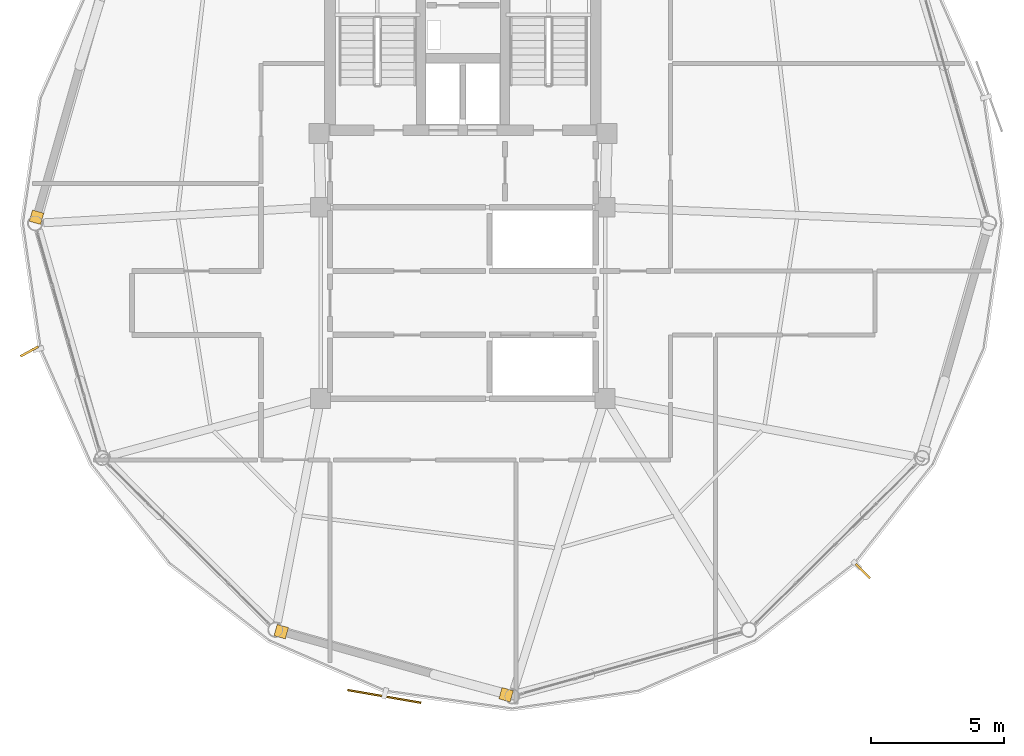
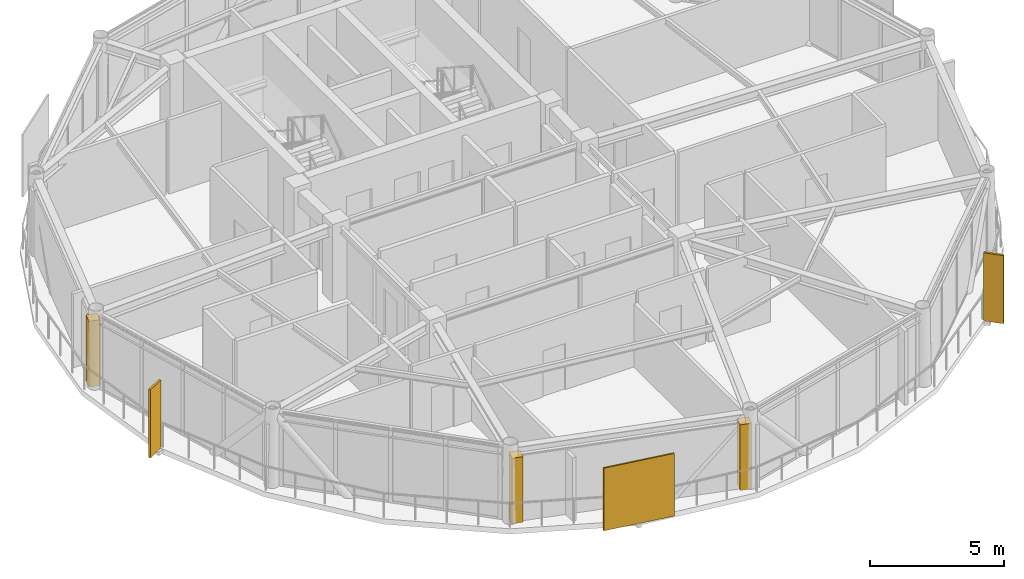
# One storey, part 22 of 25: 3 coverings, 3 shading devices.
"""IFC4 building model written with IfcOpenShell, lengths in metres."""

from ifc_helpers import new_model, si_unit, direction, frame, origin, origin_2d, place, context, subcontext, project, spatial, rectangle, extrude, source, transform, mapped, material, layer, layer_set, type_object, type_shapes, element, save


model = new_model("IFC4")

# Units and contexts
model_context = context("Model", 3, precision=1e-05, world=origin(), true_north=direction((0.0, 1.0)))
body_context = subcontext(model_context, "Body", "Model", "MODEL_VIEW")
ifc_project = project(units=[si_unit("LENGTHUNIT", "METRE"), si_unit("AREAUNIT", "SQUARE_METRE"), si_unit("VOLUMEUNIT", "CUBIC_METRE"), si_unit("PLANEANGLEUNIT", "RADIAN"), si_unit("MASSUNIT", "GRAM", prefix="KILO")], contexts=[model_context])

# Site, building, storey
site_placement = place(None, origin())
site = spatial("IfcSite", under=ifc_project, at=site_placement, CompositionType="ELEMENT")
building_placement = place(site_placement, origin())
building = spatial("IfcBuilding", under=site, at=building_placement, Name="Varnakorn Sky Granary", CompositionType="ELEMENT")
storey_placement = place(building_placement, frame((0.0, 0.0, 277.800048828125)))
storey = spatial("IfcBuildingStorey", under=building, at=storey_placement, Name="L71", CompositionType="ELEMENT", Elevation=277.800048828125)

# Coverings
ifc_material = material(Name="Anodised Bronze Aluminium Alloy 6063-T6", Category="aluminium")
ifc_layer = layer(ifc_material, 0.050048828125, Name="Anodised Bronze Aluminium Alloy 6063-T6")
ifc_layer_set = layer_set([ifc_layer], Name="Anodised Bronze Aluminium Alloy 6063-T6")
covering_type = type_object("IfcCoveringType", Name="CV-CLAD-50", PredefinedType="CLADDING", material=ifc_layer_set)
shared_shape_1 = source(origin(), body_context, "Body", "SweptSolid", [
    extrude(rectangle(XDim=0.43994140625, YDim=0.43994140625, at=origin_2d()), origin(), (0.0, 0.0, 1.0), 2.989990234375),
])
type_shapes(covering_type, [shared_shape_1])
for number, where, z_axis, x_axis, name in (
    (1, (-13.03857421875, 0.2255859375, -0.02001953125), (0.0, 0.0, 1.0), (0.274630573972, 0.961549815579, 0.0), "Bronze Corner Pilaster Closure L71-P06-A"),
    (2, (4.624267578125, -17.738525390625, -0.02001953125), (0.0, 0.0, 1.0), (-0.962738960451, 0.270432420449, 0.0), "Bronze Corner Pilaster Closure L71-P09-A"),
    (3, (-3.833251953125, -15.363525390625, -0.02001953125), (0.0, 0.0, 1.0), (-0.962738960451, 0.270432420449, 0.0), "Bronze Corner Pilaster Closure L71-P09-B"),
):
    element("IfcCovering", number, at=place(storey_placement, frame(where, z_axis=z_axis, x_axis=x_axis)), inside=storey, type_object=covering_type, Name=name, PredefinedType="CLADDING", context=body_context, shape_type="MappedRepresentation", body=[
        mapped(shared_shape_1, transform((0.0, 0.0, 0.0), x_axis=(1.0, 0.0, 0.0), y_axis=(0.0, 1.0, 0.0), z_axis=(0.0, 0.0, 1.0), scale=1.0)),
    ])

# Shading devices
shading_device_type_1 = type_object("IfcShadingDeviceType", Name="SH-FIN-03", PredefinedType="USERDEFINED", material=ifc_material)
shared_shape_2 = source(origin(), body_context, "Body", "SweptSolid", [
    extrude(rectangle(XDim=0.0849609375, YDim=0.760009765625, at=origin_2d()), origin(), (0.0, 0.0, 1.0), 3.10009765625),
])
type_shapes(shading_device_type_1, [shared_shape_2])
for number, where, z_axis, x_axis, name in (
    (4, (-13.3076171875, -4.8251953125, -0.0400390625), (0.0, 0.0, 1.0), (0.481312643356, -0.876548994264, 0.0), "Bronze Solar-Tracking Vertical Blade FIN L71-07"),
    (5, (18.048095703125, -13.088623046875, -0.0400390625), (0.0, 0.0, 1.0), (0.702500917067, 0.711682837731, 0.0), "Bronze Solar-Tracking Vertical Blade FIN L71-11"),
):
    element("IfcShadingDevice", number, at=place(storey_placement, frame(where, z_axis=z_axis, x_axis=x_axis)), inside=storey, type_object=shading_device_type_1, Name=name, ObjectType="FIN", PredefinedType="USERDEFINED", context=body_context, shape_type="MappedRepresentation", body=[
        mapped(shared_shape_2, transform((0.0, 0.0, 0.0), x_axis=(1.0, 0.0, 0.0), y_axis=(0.0, 1.0, 0.0), z_axis=(0.0, 0.0, 1.0), scale=1.0)),
    ])
shading_device_type_2 = type_object("IfcShadingDeviceType", Name="SH-SCR-03", PredefinedType="USERDEFINED", material=ifc_material)
shared_shape_3 = source(origin(), body_context, "Body", "SweptSolid", [
    extrude(rectangle(XDim=2.800048828125, YDim=0.06494140625, at=origin_2d()), origin(), (0.0, 0.0, 1.0), 2.85009765625),
])
type_shapes(shading_device_type_2, [shared_shape_3])
shading_device_placement = place(storey_placement, frame((0.041259765625, -17.799072265625, -0.0400390625), z_axis=(0.0, 0.0, 1.0), x_axis=(0.985202855005, -0.171392340815, 0.0)))
element("IfcShadingDevice", 6, at=shading_device_placement, inside=storey, type_object=shading_device_type_2, Name="Perforated Bronze Solar Screen Panel SCREEN L71-09", ObjectType="SCREEN", PredefinedType="USERDEFINED", context=body_context, shape_type="MappedRepresentation", body=[
    mapped(shared_shape_3, transform((0.0, 0.0, 0.0), x_axis=(1.0, 0.0, 0.0), y_axis=(0.0, 1.0, 0.0), z_axis=(0.0, 0.0, 1.0), scale=1.0)),
])

save(model, "model.ifc")
